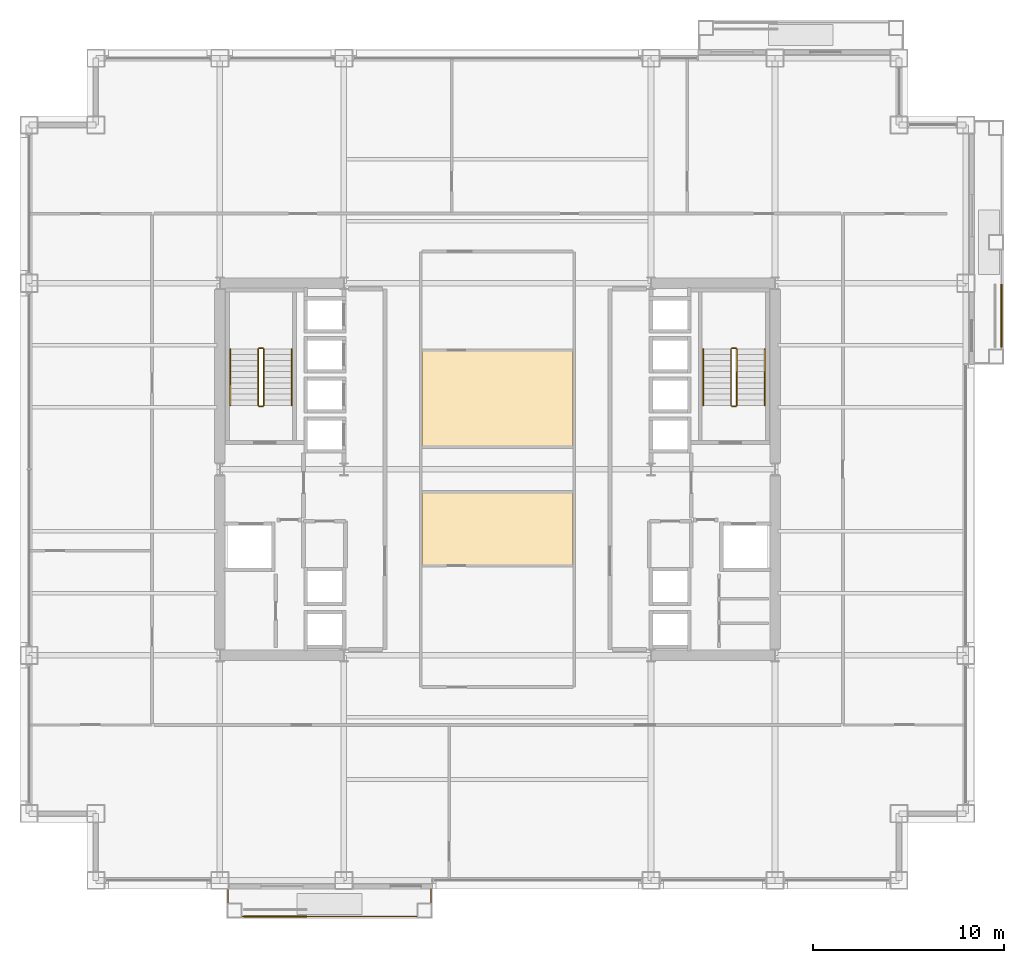
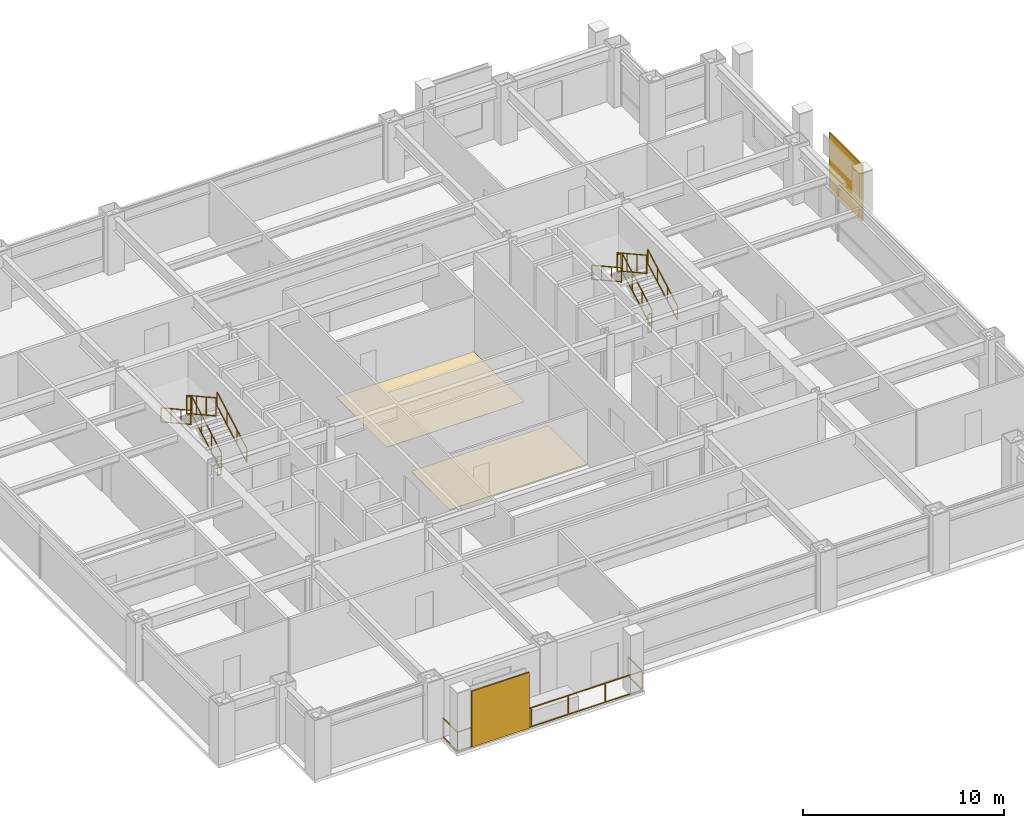
# One storey, part 29 of 31: 13 railings, 2 coverings, 2 shading devices.
"""IFC4 building model written with IfcOpenShell, lengths in metres."""

import ifcopenshell
import ifcopenshell.guid

model = None  # the IFC model being written
_history = None  # IfcOwnerHistory: only IFC2X3 demands one
_inside = {}  # id of a spatial element -> (the spatial element, [elements in it])
_under = {}  # id of a project, library or spatial element -> (it, [spatial elements below it])
_declared = {}  # id of a project -> (the project, [libraries it declares])
_typed = {}  # id of a type object -> (the type object, [elements of that type])
_made_of = {}  # id of a material, layer set ... -> (it, [elements and type objects made of it])


def new_model(schema):
    """Start an empty IFC model of exactly this schema.

    Asked for "IFC4X3", IfcOpenShell would pick the latest addendum, in which some entities
    have other attributes; the version numbers below select the first issue.
    IFC2X3 requires an IfcOwnerHistory on every rooted entity: one is made here for all.
    """
    global model, _history
    if schema == "IFC4X3":
        model = ifcopenshell.file(schema_version=(4, 3, 0, 0))
    else:
        model = ifcopenshell.file(schema=schema)
    _inside.clear()
    _under.clear()
    _declared.clear()
    _typed.clear()
    _made_of.clear()
    _history = None
    if model.schema == "IFC2X3":
        org = make("IfcOrganization", Name="unknown")
        user = make(
            "IfcPersonAndOrganization",
            ThePerson=make("IfcPerson", FamilyName="unknown"),
            TheOrganization=org,
        )
        app = make(
            "IfcApplication",
            ApplicationDeveloper=org,
            Version="unknown",
            ApplicationFullName="unknown",
            ApplicationIdentifier="unknown",
        )
        _history = make(
            "IfcOwnerHistory",
            OwningUser=user,
            OwningApplication=app,
            ChangeAction="ADDED",
            CreationDate=0,
        )
    return model


def make(cls, **values):
    """One entity of the class cls with the attributes given. An attribute that is None is left unset."""
    return model.create_entity(
        cls, **{name: value for name, value in values.items() if value is not None}
    )


def rooted(cls, **values):
    """An entity with a GlobalId (a new one), such as an element, a storey or a relation."""
    return make(cls, GlobalId=ifcopenshell.guid.new(), OwnerHistory=_history, **values)


def si_unit(unit_type, name, prefix=None):
    """IfcSIUnit, for example si_unit("LENGTHUNIT", "METRE", prefix="MILLI")."""
    return make("IfcSIUnit", UnitType=unit_type, Prefix=prefix, Name=name)


def assignment(units):
    """IfcUnitAssignment: the units of a project."""
    return None if units is None else make("IfcUnitAssignment", Units=units)


def point(xyz):
    """IfcCartesianPoint."""
    return None if xyz is None else make("IfcCartesianPoint", Coordinates=xyz)


def direction(xyz):
    """IfcDirection."""
    return None if xyz is None else make("IfcDirection", DirectionRatios=xyz)


def frame(location, z_axis=None, x_axis=None):
    """IfcAxis2Placement3D, a coordinate frame: its origin and axes. An axis left out is left unset."""
    return make(
        "IfcAxis2Placement3D",
        Location=point(location),
        Axis=direction(z_axis),
        RefDirection=direction(x_axis),
    )


def frame_2d(location, x_axis=None):
    """IfcAxis2Placement2D, a coordinate frame in the plane: its origin and x axis."""
    return make(
        "IfcAxis2Placement2D", Location=point(location), RefDirection=direction(x_axis)
    )


def origin():
    """The frame at (0, 0, 0) with its axes left unset."""
    return frame((0.0, 0.0, 0.0))


def origin_2d():
    """The frame at (0, 0) in the plane with its x axis left unset."""
    return frame_2d((0.0, 0.0))


def place(relative_to, where):
    """IfcLocalPlacement: puts the frame where relative to a parent placement (None: the world)."""
    return make(
        "IfcLocalPlacement", PlacementRelTo=relative_to, RelativePlacement=where
    )


def context(
    kind, dimensions, precision=None, world=None, true_north=None, identifier=None
):
    """IfcGeometricRepresentationContext, for example the 3D "Model" context."""
    return make(
        "IfcGeometricRepresentationContext",
        ContextIdentifier=identifier,
        ContextType=kind,
        CoordinateSpaceDimension=dimensions,
        Precision=precision,
        WorldCoordinateSystem=world,
        TrueNorth=true_north,
    )


def subcontext(parent, identifier, kind, view, scale=None):
    """IfcGeometricRepresentationSubContext, for example "Body" below "Model"."""
    return make(
        "IfcGeometricRepresentationSubContext",
        ContextIdentifier=identifier,
        ContextType=kind,
        ParentContext=parent,
        TargetScale=scale,
        TargetView=view,
    )


def project(units=None, contexts=None):
    """IfcProject with its units and contexts."""
    return rooted(
        "IfcProject",
        Name="project",
        RepresentationContexts=contexts,
        UnitsInContext=assignment(units),
    )


def spatial(cls, under=None, at=None, **own):
    """A site, building, storey or space (cls), placed at a placement, below another one or the project."""
    s = rooted(cls, ObjectPlacement=at, **own)
    if under is not None:
        _under.setdefault(under.id(), (under, []))[1].append(s)
    return s


def polyline(points):
    """IfcPolyline through the points."""
    return make("IfcPolyline", Points=[point(p) for p in points])


def profile(cls, at=None, kind="AREA", **sizes):
    """A parametric profile (cls). Its sizes go by their IFC names, for example OverallWidth=200.0."""
    return make(cls, ProfileType=kind, Position=at, **sizes)


def rectangle(**sizes):
    """IfcRectangleProfileDef."""
    return profile("IfcRectangleProfileDef", **sizes)


def outline(outer, holes=None, kind="AREA"):
    """IfcArbitraryClosedProfileDef: a profile drawn as a closed curve; with holes, ...WithVoids."""
    if holes is None:
        return make("IfcArbitraryClosedProfileDef", ProfileType=kind, OuterCurve=outer)
    return make(
        "IfcArbitraryProfileDefWithVoids",
        ProfileType=kind,
        OuterCurve=outer,
        InnerCurves=holes,
    )


def extrude(swept, where, along, depth):
    """IfcExtrudedAreaSolid: the profile swept, set in the frame where, extruded along a direction by depth."""
    return make(
        "IfcExtrudedAreaSolid",
        SweptArea=swept,
        Position=where,
        ExtrudedDirection=direction(along),
        Depth=depth,
    )


def shape(context_of_items, identifier, shape_type, items):
    """IfcShapeRepresentation: the items that make up one representation, for example the "Body"."""
    return make(
        "IfcShapeRepresentation",
        ContextOfItems=context_of_items,
        RepresentationIdentifier=identifier,
        RepresentationType=shape_type,
        Items=items,
    )


def material(Name=None, Category=None):
    """IfcMaterial."""
    return make("IfcMaterial", Name=Name, Category=Category)


def layer(
    of_material, thickness, ventilated=None, Name=None, Category=None, Priority=None
):
    """IfcMaterialLayer: one layer of a wall or slab, of a material (None: an air gap)."""
    return make(
        "IfcMaterialLayer",
        Material=of_material,
        LayerThickness=thickness,
        IsVentilated=ventilated,
        Name=Name,
        Category=Category,
        Priority=Priority,
    )


def layer_set(layers, Name=None):
    """IfcMaterialLayerSet."""
    return make("IfcMaterialLayerSet", MaterialLayers=layers, LayerSetName=Name)


def made_of(thing, what):
    """Note that an element or type object is made of a material, layer set ...; save() writes the relation."""
    if what is not None:
        _made_of.setdefault(what.id(), (what, []))[1].append(thing)
    return thing


def type_object(cls, material=None, **own):
    """A type object (cls), such as IfcWallType, which elements share."""
    return made_of(rooted(cls, **own), material)


def element(
    cls,
    number,
    at=None,
    inside=None,
    cuts=None,
    type_object=None,
    material=None,
    context=None,
    identifier="Body",
    shape_type=None,
    held_by="IfcProductDefinitionShape",
    body=None,
    shapes=None,
    **own,
):
    """One element of the class cls, such as IfcWall. Its Tag is "e" and its number.

    at: its placement. inside: the storey or other place that contains it. cuts: it is an
    opening in that element (IfcRelVoidsElement). A single representation is given by context,
    identifier, shape_type and body (its items); several are given by shapes. held_by: the class
    of the entity that holds the representations. save() writes the other relations.
    """
    e = rooted(cls, Tag="e%d" % number, ObjectPlacement=at, **own)
    if body is not None:
        shapes = [shape(context, identifier, shape_type, body)]
    if shapes is not None:
        e.Representation = make(held_by, Representations=shapes)
    if inside is not None:
        _inside.setdefault(inside.id(), (inside, []))[1].append(e)
    if cuts is not None:
        rooted(
            "IfcRelVoidsElement", RelatingBuildingElement=cuts, RelatedOpeningElement=e
        )
    if type_object is not None:
        _typed.setdefault(type_object.id(), (type_object, []))[1].append(e)
    return made_of(e, material)


def aggregate(whole, parts):
    """IfcRelAggregates: a whole, such as a stair, and the parts it consists of."""
    return rooted("IfcRelAggregates", RelatingObject=whole, RelatedObjects=parts)


def save(model, path):
    """Write the relations noted so far, then the file.

    IfcRelAggregates (storeys below a building ...), IfcRelContainedInSpatialStructure (elements
    in a storey), IfcRelDefinesByType, IfcRelAssociatesMaterial and IfcRelDeclares: one each for
    every whole, place, type object, material and project.
    """
    for whole, parts in _under.values():
        aggregate(whole, parts)
    for where, things in _inside.values():
        rooted(
            "IfcRelContainedInSpatialStructure",
            RelatedElements=things,
            RelatingStructure=where,
        )
    for kind, things in _typed.values():
        rooted("IfcRelDefinesByType", RelatedObjects=things, RelatingType=kind)
    for what, things in _made_of.values():
        rooted("IfcRelAssociatesMaterial", RelatedObjects=things, RelatingMaterial=what)
    for by, libraries in _declared.values():
        rooted("IfcRelDeclares", RelatingContext=by, RelatedDefinitions=libraries)
    model.write(path)


model = new_model("IFC4")

# Units and contexts
model_context = context("Model", 3, precision=1e-05, world=origin(), true_north=direction((0.0, 1.0)))
body_context = subcontext(model_context, "Body", "Model", "MODEL_VIEW")
ifc_project = project(units=[si_unit("LENGTHUNIT", "METRE"), si_unit("AREAUNIT", "SQUARE_METRE"), si_unit("VOLUMEUNIT", "CUBIC_METRE"), si_unit("PLANEANGLEUNIT", "RADIAN"), si_unit("MASSUNIT", "GRAM", prefix="KILO")], contexts=[model_context])

# Site, building, storey
site_placement = place(None, origin())
site = spatial("IfcSite", under=ifc_project, at=site_placement, CompositionType="ELEMENT")
building_placement = place(site_placement, origin())
building = spatial("IfcBuilding", under=site, at=building_placement, Name="Brelmoor Portico Tower", CompositionType="ELEMENT")
storey_placement = place(building_placement, frame((0.0, 0.0, 38.39990234375)))
storey = spatial("IfcBuildingStorey", under=building, at=storey_placement, Name="L09", CompositionType="ELEMENT", Elevation=38.39990234375)

# Coverings
ifc_material_1 = material(Name="Solution-Dyed Nylon Acoustic Carpet Tile", Category="textile")
ifc_layer_1 = layer(ifc_material_1, 0.013916015625)
ifc_layer_set_1 = layer_set([ifc_layer_1], Name="Solution-Dyed Nylon Acoustic Carpet Tile")
covering_type_1 = type_object("IfcCoveringType", Name="CV-FLR-CARPET-14", PredefinedType="FLOORING", material=ifc_layer_set_1)
covering_1_placement = place(storey_placement, origin())
element("IfcCovering", 1, at=covering_1_placement, inside=storey, type_object=covering_type_1, Name="L09 Architectural Floor Finish 01", PredefinedType="FLOORING", context=body_context, shape_type="SweptSolid", body=[
    extrude(outline(polyline([(-3.9599609375, 1.199951171875), (-3.9599609375, 6.260009765625), (3.9599609375, 6.260009765625), (3.9599609375, 1.199951171875), (-3.9599609375, 1.199951171875)])), origin(), (0.0, 0.0, 1.0), 0.01416015625),
])
ifc_material_2 = material(Name="Rectified Vitrified Porcelain Floor Tile", Category="ceramic")
ifc_layer_2 = layer(ifc_material_2, 0.01806640625)
ifc_layer_set_2 = layer_set([ifc_layer_2], Name="Rectified Vitrified Porcelain Floor Tile")
covering_type_2 = type_object("IfcCoveringType", Name="CV-FLR-PORCELAIN-18", PredefinedType="FLOORING", material=ifc_layer_set_2)
covering_2_placement = place(storey_placement, origin())
element("IfcCovering", 2, at=covering_2_placement, inside=storey, type_object=covering_type_2, Name="L09 Architectural Floor Finish 02", PredefinedType="FLOORING", context=body_context, shape_type="SweptSolid", body=[
    extrude(outline(polyline([(-3.9599609375, -5.06005859375), (-3.9599609375, -1.199951171875), (3.9599609375, -1.199951171875), (3.9599609375, -5.06005859375), (-3.9599609375, -5.06005859375)])), origin(), (0.0, 0.0, 1.0), 0.01806640625),
])

# Railings
ifc_material_3 = material(Name="Perforated Pale Champagne Aluminium Fretwork Guard", Category="aluminium")
railing_type_1 = type_object("IfcRailingType", Name="RL-BALUSTRADE-1200", PredefinedType="BALUSTRADE", material=ifc_material_3)
railing_1_placement = place(storey_placement, frame((-14.1201171875, -22.0, 0.0)))
element("IfcRailing", 3, at=railing_1_placement, inside=storey, type_object=railing_type_1, Name="L09 Tree Balcony Fretwork Balustrade S", PredefinedType="BALUSTRADE", context=body_context, shape_type="SweptSolid", body=[
    extrude(rectangle(XDim=0.048095703125, YDim=0.048095703125, at=origin_2d()), frame((0.0, 0.0, 1.17578125), z_axis=(0.0, -1.0, 0.0), x_axis=(1.0, 0.0, 0.0)), (0.0, 0.0, 1.0), 1.429931640625),
    extrude(rectangle(XDim=0.048095703125, YDim=0.048095703125, at=origin_2d()), frame((0.0, 0.0, 0.02392578125), z_axis=(0.0, -1.0, 0.0), x_axis=(1.0, 0.0, 0.0)), (0.0, 0.0, 1.0), 1.429931640625),
    extrude(rectangle(XDim=0.048095703125, YDim=0.048095703125, at=origin_2d()), frame((0.0, -1.429931640625, 1.17578125), z_axis=(1.0, 0.0, 0.0), x_axis=(0.0, 1.0, 0.0)), (0.0, 0.0, 1.0), 10.64013671875),
    extrude(rectangle(XDim=0.048095703125, YDim=0.048095703125, at=origin_2d()), frame((0.0, -1.429931640625, 0.02392578125), z_axis=(1.0, 0.0, 0.0), x_axis=(0.0, 1.0, 0.0)), (0.0, 0.0, 1.0), 10.64013671875),
    extrude(rectangle(XDim=0.048095703125, YDim=0.048095703125, at=origin_2d()), frame((10.64013671875, -1.429931640625, 1.17578125), z_axis=(0.0, 1.0, 0.0), x_axis=(-1.0, 0.0, 0.0)), (0.0, 0.0, 1.0), 1.429931640625),
    extrude(rectangle(XDim=0.048095703125, YDim=0.048095703125, at=origin_2d()), frame((10.64013671875, -1.429931640625, 0.02392578125), z_axis=(0.0, 1.0, 0.0), x_axis=(-1.0, 0.0, 0.0)), (0.0, 0.0, 1.0), 1.429931640625),
    extrude(rectangle(XDim=0.0419921875, YDim=0.0419921875, at=origin_2d()), origin(), (0.0, 0.0, 1.0), 1.15185546875),
    extrude(rectangle(XDim=0.0419921875, YDim=0.0419921875, at=origin_2d()), frame((0.0, -1.429931640625, 0.0)), (0.0, 0.0, 1.0), 1.15185546875),
    extrude(rectangle(XDim=0.0419921875, YDim=0.0419921875, at=origin_2d()), frame((2.1279296875, -1.429931640625, 0.0)), (0.0, 0.0, 1.0), 1.15185546875),
    extrude(rectangle(XDim=0.0419921875, YDim=0.0419921875, at=origin_2d()), frame((4.256103515625, -1.429931640625, 0.0)), (0.0, 0.0, 1.0), 1.15185546875),
    extrude(rectangle(XDim=0.0419921875, YDim=0.0419921875, at=origin_2d()), frame((6.384033203125, -1.429931640625, 0.0)), (0.0, 0.0, 1.0), 1.15185546875),
    extrude(rectangle(XDim=0.0419921875, YDim=0.0419921875, at=origin_2d()), frame((8.51220703125, -1.429931640625, 0.0)), (0.0, 0.0, 1.0), 1.15185546875),
    extrude(rectangle(XDim=0.0419921875, YDim=0.0419921875, at=origin_2d()), frame((10.64013671875, -1.429931640625, 0.0)), (0.0, 0.0, 1.0), 1.15185546875),
    extrude(rectangle(XDim=0.0419921875, YDim=0.0419921875, at=origin_2d()), frame((10.64013671875, 0.0, 0.0)), (0.0, 0.0, 1.0), 1.15185546875),
])
ifc_material_4 = material(Name="Painted Tubular Steel Q235B", Category="steel")
railing_type_2 = type_object("IfcRailingType", Name="RL-STAIR-GUARD", PredefinedType="GUARDRAIL", material=ifc_material_4)
railing_2_placement = place(storey_placement, frame((-12.239990234375, 3.35009765625, 0.163818359375)))
element("IfcRailing", 4, at=railing_2_placement, inside=storey, type_object=railing_type_2, Name="L09 ST-W stair guard 1", PredefinedType="GUARDRAIL", context=body_context, shape_type="SweptSolid", body=[
    extrude(rectangle(XDim=0.048095703125, YDim=0.048095703125, at=origin_2d()), frame((0.0, 0.0, 1.1259765625), z_axis=(0.0, 0.87448821551, 0.485046761595), x_axis=(-1.0, 0.0, 0.0)), (0.0, 0.0, 1.0), 3.373291015625),
    extrude(rectangle(XDim=0.048095703125, YDim=0.048095703125, at=origin_2d()), frame((0.0, 0.0, 0.02392578125), z_axis=(0.0, 0.87448821551, 0.485046761595), x_axis=(-1.0, 0.0, 0.0)), (0.0, 0.0, 1.0), 3.373291015625),
    extrude(rectangle(XDim=0.0419921875, YDim=0.0419921875, at=origin_2d()), origin(), (0.0, 0.0, 1.0), 1.101806640625),
    extrude(rectangle(XDim=0.0419921875, YDim=0.0419921875, at=origin_2d()), frame((0.0, 0.9833984375, 0.54541015625)), (0.0, 0.0, 1.0), 1.101806640625),
    extrude(rectangle(XDim=0.0419921875, YDim=0.0419921875, at=origin_2d()), frame((0.0, 1.966552734375, 1.0908203125)), (0.0, 0.0, 1.0), 1.101806640625),
    extrude(rectangle(XDim=0.0419921875, YDim=0.0419921875, at=origin_2d()), frame((0.0, 2.949951171875, 1.63623046875)), (0.0, 0.0, 1.0), 1.101806640625),
])
railing_3_placement = place(storey_placement, frame((-12.2900390625, 6.35009765625, 1.800048828125)))
element("IfcRailing", 5, at=railing_3_placement, inside=storey, type_object=railing_type_2, Name="L09 ST-W stair guard 2", PredefinedType="GUARDRAIL", context=body_context, shape_type="SweptSolid", body=[
    extrude(rectangle(XDim=0.048095703125, YDim=0.048095703125, at=origin_2d()), frame((0.0, 0.0, 1.1259765625), z_axis=(-1.0, 0.0, 0.0), x_axis=(0.0, -1.0, 0.0)), (0.0, 0.0, 1.0), 0.199951171875),
    extrude(rectangle(XDim=0.048095703125, YDim=0.048095703125, at=origin_2d()), frame((0.0, 0.0, 0.02392578125), z_axis=(-1.0, 0.0, 0.0), x_axis=(0.0, -1.0, 0.0)), (0.0, 0.0, 1.0), 0.199951171875),
    extrude(rectangle(XDim=0.0419921875, YDim=0.0419921875, at=origin_2d()), origin(), (0.0, 0.0, 1.0), 1.101806640625),
    extrude(rectangle(XDim=0.0419921875, YDim=0.0419921875, at=origin_2d()), frame((-0.199951171875, 0.0, 0.0)), (0.0, 0.0, 1.0), 1.101806640625),
])
railing_4_placement = place(storey_placement, frame((-12.5400390625, 6.300048828125, 1.963623046875)))
element("IfcRailing", 6, at=railing_4_placement, inside=storey, type_object=railing_type_2, Name="L09 ST-W stair guard 3", PredefinedType="GUARDRAIL", context=body_context, shape_type="SweptSolid", body=[
    extrude(rectangle(XDim=0.048095703125, YDim=0.048095703125, at=origin_2d()), frame((0.0, 0.0, 1.1259765625), z_axis=(0.0, -0.874457516365, 0.485102104791), x_axis=(1.0, 0.0, 0.0)), (0.0, 0.0, 1.0), 3.37353515625),
    extrude(rectangle(XDim=0.048095703125, YDim=0.048095703125, at=origin_2d()), frame((0.0, 0.0, 0.02392578125), z_axis=(0.0, -0.874457516365, 0.485102104791), x_axis=(1.0, 0.0, 0.0)), (0.0, 0.0, 1.0), 3.37353515625),
    extrude(rectangle(XDim=0.0419921875, YDim=0.0419921875, at=origin_2d()), origin(), (0.0, 0.0, 1.0), 1.101806640625),
    extrude(rectangle(XDim=0.0419921875, YDim=0.0419921875, at=origin_2d()), frame((0.0, -0.9833984375, 0.54541015625)), (0.0, 0.0, 1.0), 1.101806640625),
    extrude(rectangle(XDim=0.0419921875, YDim=0.0419921875, at=origin_2d()), frame((0.0, -1.966552734375, 1.091064453125)), (0.0, 0.0, 1.0), 1.101806640625),
    extrude(rectangle(XDim=0.0419921875, YDim=0.0419921875, at=origin_2d()), frame((0.0, -2.949951171875, 1.636474609375)), (0.0, 0.0, 1.0), 1.101806640625),
])
railing_5_placement = place(storey_placement, frame((-12.2900390625, 3.300048828125, 0.0)))
element("IfcRailing", 7, at=railing_5_placement, inside=storey, type_object=railing_type_2, Name="L09 ST-W stair guard 4", PredefinedType="GUARDRAIL", context=body_context, shape_type="SweptSolid", body=[
    extrude(rectangle(XDim=0.048095703125, YDim=0.048095703125, at=origin_2d()), frame((0.0, 0.0, 1.1259765625), z_axis=(-1.0, 0.0, 0.0), x_axis=(0.0, -1.0, 0.0)), (0.0, 0.0, 1.0), 0.199951171875),
    extrude(rectangle(XDim=0.048095703125, YDim=0.048095703125, at=origin_2d()), frame((0.0, 0.0, 0.02392578125), z_axis=(-1.0, 0.0, 0.0), x_axis=(0.0, -1.0, 0.0)), (0.0, 0.0, 1.0), 0.199951171875),
    extrude(rectangle(XDim=0.0419921875, YDim=0.0419921875, at=origin_2d()), origin(), (0.0, 0.0, 1.0), 1.101806640625),
    extrude(rectangle(XDim=0.0419921875, YDim=0.0419921875, at=origin_2d()), frame((-0.199951171875, 0.0, 0.0)), (0.0, 0.0, 1.0), 1.101806640625),
])
railing_6_placement = place(storey_placement, frame((12.5400390625, 3.35009765625, 0.163818359375)))
element("IfcRailing", 8, at=railing_6_placement, inside=storey, type_object=railing_type_2, Name="L09 ST-E stair guard 1", PredefinedType="GUARDRAIL", context=body_context, shape_type="SweptSolid", body=[
    extrude(rectangle(XDim=0.048095703125, YDim=0.048095703125, at=origin_2d()), frame((0.0, 0.0, 1.1259765625), z_axis=(0.0, 0.87448821551, 0.485046761595), x_axis=(-1.0, 0.0, 0.0)), (0.0, 0.0, 1.0), 3.373291015625),
    extrude(rectangle(XDim=0.048095703125, YDim=0.048095703125, at=origin_2d()), frame((0.0, 0.0, 0.02392578125), z_axis=(0.0, 0.87448821551, 0.485046761595), x_axis=(-1.0, 0.0, 0.0)), (0.0, 0.0, 1.0), 3.373291015625),
    extrude(rectangle(XDim=0.0419921875, YDim=0.0419921875, at=origin_2d()), origin(), (0.0, 0.0, 1.0), 1.101806640625),
    extrude(rectangle(XDim=0.0419921875, YDim=0.0419921875, at=origin_2d()), frame((0.0, 0.9833984375, 0.54541015625)), (0.0, 0.0, 1.0), 1.101806640625),
    extrude(rectangle(XDim=0.0419921875, YDim=0.0419921875, at=origin_2d()), frame((0.0, 1.966552734375, 1.0908203125)), (0.0, 0.0, 1.0), 1.101806640625),
    extrude(rectangle(XDim=0.0419921875, YDim=0.0419921875, at=origin_2d()), frame((0.0, 2.949951171875, 1.63623046875)), (0.0, 0.0, 1.0), 1.101806640625),
])
railing_7_placement = place(storey_placement, frame((12.489990234375, 6.35009765625, 1.800048828125)))
element("IfcRailing", 9, at=railing_7_placement, inside=storey, type_object=railing_type_2, Name="L09 ST-E stair guard 2", PredefinedType="GUARDRAIL", context=body_context, shape_type="SweptSolid", body=[
    extrude(rectangle(XDim=0.048095703125, YDim=0.048095703125, at=origin_2d()), frame((0.0, 0.0, 1.1259765625), z_axis=(-1.0, 0.0, 0.0), x_axis=(0.0, -1.0, 0.0)), (0.0, 0.0, 1.0), 0.199951171875),
    extrude(rectangle(XDim=0.048095703125, YDim=0.048095703125, at=origin_2d()), frame((0.0, 0.0, 0.02392578125), z_axis=(-1.0, 0.0, 0.0), x_axis=(0.0, -1.0, 0.0)), (0.0, 0.0, 1.0), 0.199951171875),
    extrude(rectangle(XDim=0.0419921875, YDim=0.0419921875, at=origin_2d()), origin(), (0.0, 0.0, 1.0), 1.101806640625),
    extrude(rectangle(XDim=0.0419921875, YDim=0.0419921875, at=origin_2d()), frame((-0.199951171875, 0.0, 0.0)), (0.0, 0.0, 1.0), 1.101806640625),
])
railing_8_placement = place(storey_placement, frame((12.239990234375, 6.300048828125, 1.963623046875)))
element("IfcRailing", 10, at=railing_8_placement, inside=storey, type_object=railing_type_2, Name="L09 ST-E stair guard 3", PredefinedType="GUARDRAIL", context=body_context, shape_type="SweptSolid", body=[
    extrude(rectangle(XDim=0.048095703125, YDim=0.048095703125, at=origin_2d()), frame((0.0, 0.0, 1.1259765625), z_axis=(0.0, -0.874457516365, 0.485102104791), x_axis=(1.0, 0.0, 0.0)), (0.0, 0.0, 1.0), 3.37353515625),
    extrude(rectangle(XDim=0.048095703125, YDim=0.048095703125, at=origin_2d()), frame((0.0, 0.0, 0.02392578125), z_axis=(0.0, -0.874457516365, 0.485102104791), x_axis=(1.0, 0.0, 0.0)), (0.0, 0.0, 1.0), 3.37353515625),
    extrude(rectangle(XDim=0.0419921875, YDim=0.0419921875, at=origin_2d()), origin(), (0.0, 0.0, 1.0), 1.101806640625),
    extrude(rectangle(XDim=0.0419921875, YDim=0.0419921875, at=origin_2d()), frame((0.0, -0.9833984375, 0.54541015625)), (0.0, 0.0, 1.0), 1.101806640625),
    extrude(rectangle(XDim=0.0419921875, YDim=0.0419921875, at=origin_2d()), frame((0.0, -1.966552734375, 1.091064453125)), (0.0, 0.0, 1.0), 1.101806640625),
    extrude(rectangle(XDim=0.0419921875, YDim=0.0419921875, at=origin_2d()), frame((0.0, -2.949951171875, 1.636474609375)), (0.0, 0.0, 1.0), 1.101806640625),
])
railing_9_placement = place(storey_placement, frame((12.489990234375, 3.300048828125, 0.0)))
element("IfcRailing", 11, at=railing_9_placement, inside=storey, type_object=railing_type_2, Name="L09 ST-E stair guard 4", PredefinedType="GUARDRAIL", context=body_context, shape_type="SweptSolid", body=[
    extrude(rectangle(XDim=0.048095703125, YDim=0.048095703125, at=origin_2d()), frame((0.0, 0.0, 1.1259765625), z_axis=(-1.0, 0.0, 0.0), x_axis=(0.0, -1.0, 0.0)), (0.0, 0.0, 1.0), 0.199951171875),
    extrude(rectangle(XDim=0.048095703125, YDim=0.048095703125, at=origin_2d()), frame((0.0, 0.0, 0.02392578125), z_axis=(-1.0, 0.0, 0.0), x_axis=(0.0, -1.0, 0.0)), (0.0, 0.0, 1.0), 0.199951171875),
    extrude(rectangle(XDim=0.0419921875, YDim=0.0419921875, at=origin_2d()), origin(), (0.0, 0.0, 1.0), 1.101806640625),
    extrude(rectangle(XDim=0.0419921875, YDim=0.0419921875, at=origin_2d()), frame((-0.199951171875, 0.0, 0.0)), (0.0, 0.0, 1.0), 1.101806640625),
])
ifc_material_5 = material(Name="Brushed Stainless Steel 304", Category="steel")
railing_type_3 = type_object("IfcRailingType", Name="RL-STAIR-HANDRAIL", PredefinedType="HANDRAIL", material=ifc_material_5)
railing_10_placement = place(storey_placement, frame((-10.780029296875, 3.35009765625, 0.163818359375)))
element("IfcRailing", 12, at=railing_10_placement, inside=storey, type_object=railing_type_3, Name="L09 ST-W stair handrail 1", PredefinedType="HANDRAIL", context=body_context, shape_type="SweptSolid", body=[
    extrude(rectangle(XDim=0.048095703125, YDim=0.048095703125, at=origin_2d()), frame((0.0, 0.0, 0.8759765625), z_axis=(0.0, 0.87448821551, 0.485046761595), x_axis=(-1.0, 0.0, 0.0)), (0.0, 0.0, 1.0), 3.373291015625),
    extrude(rectangle(XDim=0.048095703125, YDim=0.048095703125, at=origin_2d()), frame((0.0, 0.0, 0.02392578125), z_axis=(0.0, 0.87448821551, 0.485046761595), x_axis=(-1.0, 0.0, 0.0)), (0.0, 0.0, 1.0), 3.373291015625),
    extrude(rectangle(XDim=0.0419921875, YDim=0.0419921875, at=origin_2d()), origin(), (0.0, 0.0, 1.0), 0.851806640625),
    extrude(rectangle(XDim=0.0419921875, YDim=0.0419921875, at=origin_2d()), frame((0.0, 0.9833984375, 0.54541015625)), (0.0, 0.0, 1.0), 0.851806640625),
    extrude(rectangle(XDim=0.0419921875, YDim=0.0419921875, at=origin_2d()), frame((0.0, 1.966552734375, 1.0908203125)), (0.0, 0.0, 1.0), 0.851806640625),
    extrude(rectangle(XDim=0.0419921875, YDim=0.0419921875, at=origin_2d()), frame((0.0, 2.949951171875, 1.63623046875)), (0.0, 0.0, 1.0), 0.851806640625),
])
railing_11_placement = place(storey_placement, frame((-14.0, 6.300048828125, 1.963623046875)))
element("IfcRailing", 13, at=railing_11_placement, inside=storey, type_object=railing_type_3, Name="L09 ST-W stair handrail 2", PredefinedType="HANDRAIL", context=body_context, shape_type="SweptSolid", body=[
    extrude(rectangle(XDim=0.048095703125, YDim=0.048095703125, at=origin_2d()), frame((0.0, 0.0, 0.8759765625), z_axis=(0.0, -0.874457516365, 0.485102104791), x_axis=(1.0, 0.0, 0.0)), (0.0, 0.0, 1.0), 3.37353515625),
    extrude(rectangle(XDim=0.048095703125, YDim=0.048095703125, at=origin_2d()), frame((0.0, 0.0, 0.02392578125), z_axis=(0.0, -0.874457516365, 0.485102104791), x_axis=(1.0, 0.0, 0.0)), (0.0, 0.0, 1.0), 3.37353515625),
    extrude(rectangle(XDim=0.0419921875, YDim=0.0419921875, at=origin_2d()), origin(), (0.0, 0.0, 1.0), 0.851806640625),
    extrude(rectangle(XDim=0.0419921875, YDim=0.0419921875, at=origin_2d()), frame((0.0, -0.9833984375, 0.54541015625)), (0.0, 0.0, 1.0), 0.851806640625),
    extrude(rectangle(XDim=0.0419921875, YDim=0.0419921875, at=origin_2d()), frame((0.0, -1.966552734375, 1.091064453125)), (0.0, 0.0, 1.0), 0.851806640625),
    extrude(rectangle(XDim=0.0419921875, YDim=0.0419921875, at=origin_2d()), frame((0.0, -2.949951171875, 1.636474609375)), (0.0, 0.0, 1.0), 0.851806640625),
])
railing_12_placement = place(storey_placement, frame((14.0, 3.35009765625, 0.163818359375)))
element("IfcRailing", 14, at=railing_12_placement, inside=storey, type_object=railing_type_3, Name="L09 ST-E stair handrail 1", PredefinedType="HANDRAIL", context=body_context, shape_type="SweptSolid", body=[
    extrude(rectangle(XDim=0.048095703125, YDim=0.048095703125, at=origin_2d()), frame((0.0, 0.0, 0.8759765625), z_axis=(0.0, 0.87448821551, 0.485046761595), x_axis=(-1.0, 0.0, 0.0)), (0.0, 0.0, 1.0), 3.373291015625),
    extrude(rectangle(XDim=0.048095703125, YDim=0.048095703125, at=origin_2d()), frame((0.0, 0.0, 0.02392578125), z_axis=(0.0, 0.87448821551, 0.485046761595), x_axis=(-1.0, 0.0, 0.0)), (0.0, 0.0, 1.0), 3.373291015625),
    extrude(rectangle(XDim=0.0419921875, YDim=0.0419921875, at=origin_2d()), origin(), (0.0, 0.0, 1.0), 0.851806640625),
    extrude(rectangle(XDim=0.0419921875, YDim=0.0419921875, at=origin_2d()), frame((0.0, 0.9833984375, 0.54541015625)), (0.0, 0.0, 1.0), 0.851806640625),
    extrude(rectangle(XDim=0.0419921875, YDim=0.0419921875, at=origin_2d()), frame((0.0, 1.966552734375, 1.0908203125)), (0.0, 0.0, 1.0), 0.851806640625),
    extrude(rectangle(XDim=0.0419921875, YDim=0.0419921875, at=origin_2d()), frame((0.0, 2.949951171875, 1.63623046875)), (0.0, 0.0, 1.0), 0.851806640625),
])
railing_13_placement = place(storey_placement, frame((10.780029296875, 6.300048828125, 1.963623046875)))
element("IfcRailing", 15, at=railing_13_placement, inside=storey, type_object=railing_type_3, Name="L09 ST-E stair handrail 2", PredefinedType="HANDRAIL", context=body_context, shape_type="SweptSolid", body=[
    extrude(rectangle(XDim=0.048095703125, YDim=0.048095703125, at=origin_2d()), frame((0.0, 0.0, 0.8759765625), z_axis=(0.0, -0.874457516365, 0.485102104791), x_axis=(1.0, 0.0, 0.0)), (0.0, 0.0, 1.0), 3.37353515625),
    extrude(rectangle(XDim=0.048095703125, YDim=0.048095703125, at=origin_2d()), frame((0.0, 0.0, 0.02392578125), z_axis=(0.0, -0.874457516365, 0.485102104791), x_axis=(1.0, 0.0, 0.0)), (0.0, 0.0, 1.0), 3.37353515625),
    extrude(rectangle(XDim=0.0419921875, YDim=0.0419921875, at=origin_2d()), origin(), (0.0, 0.0, 1.0), 0.851806640625),
    extrude(rectangle(XDim=0.0419921875, YDim=0.0419921875, at=origin_2d()), frame((0.0, -0.9833984375, 0.54541015625)), (0.0, 0.0, 1.0), 0.851806640625),
    extrude(rectangle(XDim=0.0419921875, YDim=0.0419921875, at=origin_2d()), frame((0.0, -1.966552734375, 1.091064453125)), (0.0, 0.0, 1.0), 0.851806640625),
    extrude(rectangle(XDim=0.0419921875, YDim=0.0419921875, at=origin_2d()), frame((0.0, -2.949951171875, 1.636474609375)), (0.0, 0.0, 1.0), 0.851806640625),
])

# Shading devices
ifc_material_6 = material(Name="Powder-Coated Aluminium Shuttered Jalousie", Category="aluminium")
ifc_layer_3 = layer(ifc_material_6, 0.080078125)
ifc_layer_set_3 = layer_set([ifc_layer_3], Name="Powder-Coated Aluminium Shuttered Jalousie")
shading_device_type = type_object("IfcShadingDeviceType", Name="SD-JALOUSIE-LOGGIA", PredefinedType="JALOUSIE", material=ifc_layer_set_3)
for number, where, z_axis, x_axis, name in (
    (16, (-11.64990234375, -23.429931640625, 0.000244140625), (0.0, 0.0, 1.0), (1.0, 0.0, 0.0), "L09 Loggia Shuttered Jalousie S"),
    (17, (26.429931640625, 8.050048828125, 0.000244140625), (0.0, 0.0, 1.0), (0.0, 1.0, 0.0), "L09 Loggia Shuttered Jalousie E"),
):
    element("IfcShadingDevice", number, at=place(storey_placement, frame(where, z_axis=z_axis, x_axis=x_axis)), inside=storey, type_object=shading_device_type, Name=name, PredefinedType="JALOUSIE", context=body_context, shape_type="SweptSolid", body=[
        extrude(rectangle(XDim=3.300048828125, YDim=0.080078125, at=origin_2d()), origin(), (0.0, 0.0, 1.0), 3.39990234375),
    ])

save(model, "model.ifc")
